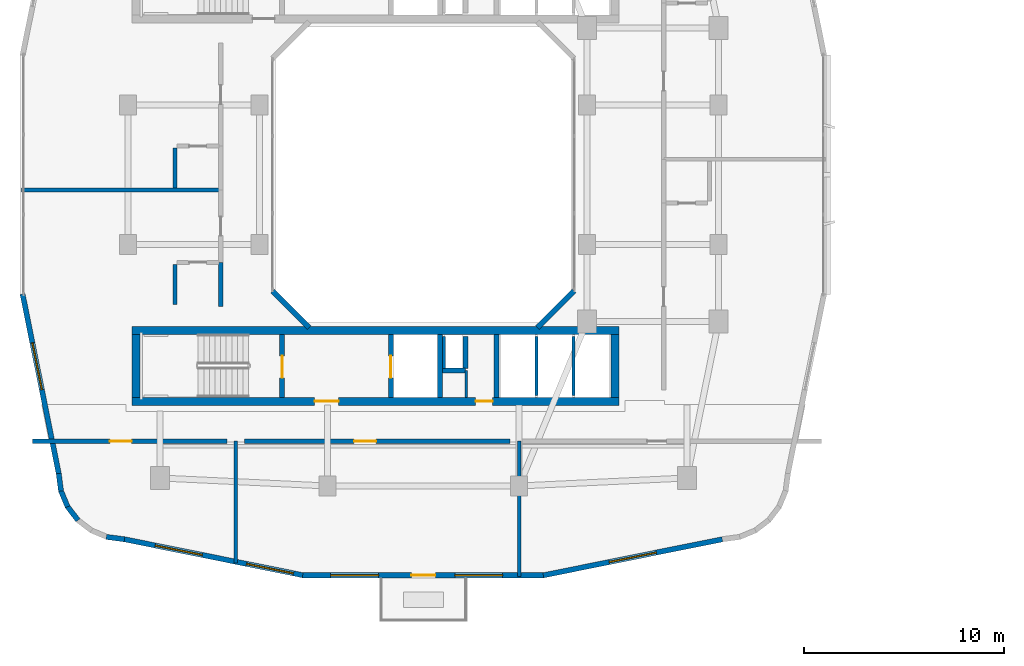
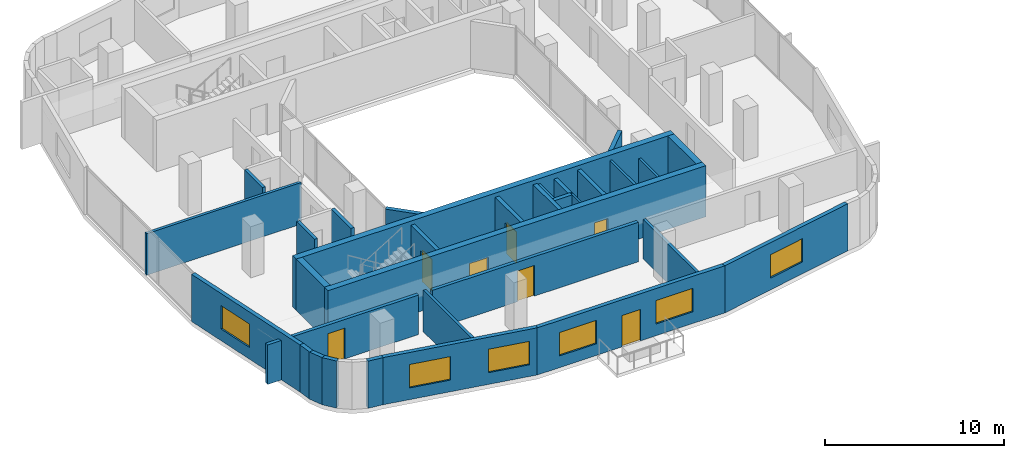
# One storey, part 8 of 22: 32 walls, 7 doors, 6 windows, 13 openings.
"""IFC4 building model written with IfcOpenShell, lengths in metres."""

from ifc_helpers import new_model, si_unit, derived_unit, direction, frame, frame_2d, origin, place, context, subcontext, project, spatial, rectangle, extrude, material, layer, layer_set, type_object, element, fill, save


model = new_model("IFC4")

# Units and contexts
model_context = context("Model", 3, precision=1e-05, world=origin(), true_north=direction((0.0, 1.0)))
body_context = subcontext(model_context, "Body", "Model", "MODEL_VIEW")
ifc_project = project(units=[si_unit("LENGTHUNIT", "METRE"), si_unit("AREAUNIT", "SQUARE_METRE"), si_unit("VOLUMEUNIT", "CUBIC_METRE"), si_unit("PLANEANGLEUNIT", "RADIAN"), si_unit("MASSUNIT", "GRAM", prefix="KILO"), derived_unit("THERMALTRANSMITTANCEUNIT", [(si_unit("POWERUNIT", "WATT"), 1), (si_unit("LENGTHUNIT", "METRE"), -2), (si_unit("THERMODYNAMICTEMPERATUREUNIT", "KELVIN"), -1)])], contexts=[model_context])

# Site, building, storey
site_placement = place(None, origin())
site = spatial("IfcSite", under=ifc_project, at=site_placement, CompositionType="ELEMENT")
building_placement = place(site_placement, origin())
building = spatial("IfcBuilding", under=site, at=building_placement, Name="Kivonza Crest Hotel", CompositionType="ELEMENT")
storey_placement = place(building_placement, frame((0.0, 0.0, 112.5)))
storey = spatial("IfcBuildingStorey", under=building, at=storey_placement, Name="L30", CompositionType="ELEMENT", Elevation=112.5)

# Walls
ifc_material_1 = material(Name="High-density acoustic masonry inter-tenancy wall", Category="masonry")
ifc_layer_1 = layer(ifc_material_1, 0.179931640625)
ifc_layer_set_1 = layer_set([ifc_layer_1], Name="High-density acoustic masonry inter-tenancy wall")
wall_type_1 = type_object("IfcWallType", Name="WL-ACOU-180", PredefinedType="SOLIDWALL", material=ifc_layer_set_1)
wall_1_placement = place(storey_placement, frame((11.60009765625, 5.533935546875, 0.0), z_axis=(0.0, 0.0, 1.0), x_axis=(0.0, 1.0, 0.0)))
element("IfcWall", 1, at=wall_1_placement, inside=storey, type_object=wall_type_1, Name="L30 interior partition WA-L30-T1S-DIV1", PredefinedType="SOLIDWALL", context=body_context, shape_type="SweptSolid", body=[
    extrude(rectangle(XDim=6.115966796875, YDim=0.179931640625, at=frame_2d((3.05810546875, 0.0))), origin(), (0.0, 0.0, 1.0), 2.8349609375),
])
wall_2_placement = place(storey_placement, frame((25.800048828125, 4.860107421875, 0.0), z_axis=(0.0, 0.0, 1.0), x_axis=(0.0, 1.0, 0.0)))
element("IfcWall", 2, at=wall_2_placement, inside=storey, type_object=wall_type_1, Name="L30 interior partition WA-L30-T1S-DIV2", PredefinedType="SOLIDWALL", context=body_context, shape_type="SweptSolid", body=[
    extrude(rectangle(XDim=6.789794921875, YDim=0.179931640625, at=frame_2d((3.39501953125, 0.0))), origin(), (0.0, 0.0, 1.0), 2.695068359375),
])
wall_3_placement = place(storey_placement, frame((0.860107421875, 24.22998046875, 0.0), z_axis=(0.0, 0.0, 1.0), x_axis=(1.0, 0.0, 0.0)))
element("IfcWall", 3, at=wall_3_placement, inside=storey, type_object=wall_type_1, Name="L30 interior partition WA-L30-T1W-DIV1", PredefinedType="SOLIDWALL", context=body_context, shape_type="SweptSolid", body=[
    extrude(rectangle(XDim=9.989990234375, YDim=0.179931640625, at=frame_2d((4.9951171875, 0.0))), origin(), (0.0, 0.0, 1.0), 2.8349609375),
])

# Wall, opening, door
ifc_material_2 = material(Name="Autoclaved aerated concrete blockwork", Category="masonry")
ifc_layer_2 = layer(ifc_material_2, 0.219970703125)
ifc_layer_set_2 = layer_set([ifc_layer_2], Name="Autoclaved aerated concrete blockwork")
wall_type_2 = type_object("IfcWallType", Name="WL-ACOU-220", PredefinedType="SOLIDWALL", material=ifc_layer_set_2)
wall_4_placement = place(storey_placement, frame((1.409912109375, 11.64990234375, 0.0), z_axis=(0.0, 0.0, 1.0), x_axis=(1.0, 0.0, 0.0)))
wall_4 = element("IfcWall", 4, at=wall_4_placement, inside=storey, type_object=wall_type_2, Name="L30 interior partition WA-L30-Z2-DIN0-N", PredefinedType="SOLIDWALL", context=body_context, shape_type="SweptSolid", body=[
    extrude(rectangle(XDim=9.739990234375, YDim=0.219970703125, at=frame_2d((4.8701171875, 0.0))), origin(), (0.0, 0.0, 1.0), 2.695068359375),
])
opening_1_placement = place(wall_4_placement, frame((3.8779296875, 0.0, 0.0)))
opening_1 = element("IfcOpeningElement", 5, at=opening_1_placement, cuts=wall_4, Name="Opening DF-60M", PredefinedType="OPENING", context=body_context, shape_type="SweptSolid", body=[
    extrude(rectangle(XDim=1.10009765625, YDim=2.10009765625, at=frame_2d((0.550048828125, 1.050048828125))), frame((0.0, 0.1201171875, 0.0), z_axis=(0.0, -1.0, 0.0), x_axis=(1.0, 0.0, 0.0)), (0.0, 0.0, 1.0), 0.239990234375),
])
ifc_material_3 = material(Name="Hardwood timber oak", Category="wood")
door_type_1 = type_object("IfcDoorType", Name="DR-FD60-1100", OperationType="NOTDEFINED", PredefinedType="DOOR", material=ifc_material_3)
door_1_placement = place(opening_1_placement, frame((1.10009765625, 0.0, 0.0), z_axis=(0.0, 0.0, 1.0), x_axis=(-1.0, 0.0, 0.0)))
door_1 = element("IfcDoor", 6, at=door_1_placement, inside=storey, type_object=door_type_1, Name="L30 Panoramic Tasting Salon door", OperationType="SINGLE_SWING_RIGHT", OverallHeight=2.10009765625, OverallWidth=1.10009765625, PredefinedType="DOOR", context=body_context, shape_type="SweptSolid", body=[
    extrude(rectangle(XDim=1.10009765625, YDim=2.10009765625, at=frame_2d((0.550048828125, 1.050048828125))), frame((0.0, 0.02490234375, 0.0), z_axis=(0.0, -1.0, 0.0), x_axis=(1.0, 0.0, 0.0)), (0.0, 0.0, 1.0), 0.050048828125),
])
fill(opening_1, door_1)

wall_5_placement = place(storey_placement, frame((12.050048828125, 11.64990234375, 0.0), z_axis=(0.0, 0.0, 1.0), x_axis=(1.0, 0.0, 0.0)))
wall_5 = element("IfcWall", 7, at=wall_5_placement, inside=storey, type_object=wall_type_2, Name="L30 interior partition WA-L30-Z2-DIN1-N", PredefinedType="SOLIDWALL", context=body_context, shape_type="SweptSolid", body=[
    extrude(rectangle(XDim=13.300048828125, YDim=0.219970703125, at=frame_2d((6.64990234375, 0.0))), origin(), (0.0, 0.0, 1.0), 2.695068359375),
])
opening_2_placement = place(wall_5_placement, frame((5.47998046875, 0.0, 0.0)))
opening_2 = element("IfcOpeningElement", 8, at=opening_2_placement, cuts=wall_5, Name="Opening DF-60M", PredefinedType="OPENING", context=body_context, shape_type="SweptSolid", body=[
    extrude(rectangle(XDim=1.10009765625, YDim=2.10009765625, at=frame_2d((0.550048828125, 1.050048828125))), frame((0.0, 0.1201171875, 0.0), z_axis=(0.0, -1.0, 0.0), x_axis=(1.0, 0.0, 0.0)), (0.0, 0.0, 1.0), 0.239990234375),
])
door_2_placement = place(opening_2_placement, frame((1.10009765625, 0.0, 0.0), z_axis=(0.0, 0.0, 1.0), x_axis=(-1.0, 0.0, 0.0)))
door_2 = element("IfcDoor", 9, at=door_2_placement, inside=storey, type_object=door_type_1, Name="L30 Sommelier Wine Kitchen door", OperationType="SINGLE_SWING_LEFT", OverallHeight=2.10009765625, OverallWidth=1.10009765625, PredefinedType="DOOR", context=body_context, shape_type="SweptSolid", body=[
    extrude(rectangle(XDim=1.10009765625, YDim=2.10009765625, at=frame_2d((0.550048828125, 1.050048828125))), frame((0.0, 0.02490234375, 0.0), z_axis=(0.0, -1.0, 0.0), x_axis=(1.0, 0.0, 0.0)), (0.0, 0.0, 1.0), 0.050048828125),
])
fill(opening_2, door_2)

# Wall
wall_6_placement = place(storey_placement, frame((10.85009765625, 18.39990234375, 0.0), z_axis=(0.0, 0.0, 1.0), x_axis=(0.0, 1.0, 0.0)))
element("IfcWall", 10, at=wall_6_placement, inside=storey, type_object=wall_type_2, Name="L30 interior partition WA-L30-W03-BCORR", PredefinedType="SOLIDWALL", context=body_context, shape_type="SweptSolid", body=[
    extrude(rectangle(XDim=2.2001953125, YDim=0.219970703125, at=frame_2d((1.10009765625, 0.0))), origin(), (0.0, 0.0, 1.0), 3.219970703125),
])

# Wall, openings, doors
ifc_material_4 = material(Name="Concrete C50/60", Category="concrete")
ifc_layer_3 = layer(ifc_material_4, 0.39990234375)
ifc_layer_set_3 = layer_set([ifc_layer_3], Name="Concrete C50/60")
wall_type_3 = type_object("IfcWallType", Name="WL-CORE-400", PredefinedType="SHEAR", material=ifc_layer_set_3)
wall_7_placement = place(storey_placement, frame((6.39990234375, 13.639892578125, 0.0), z_axis=(0.0, 0.0, 1.0), x_axis=(1.0, 0.0, 0.0)))
wall_7 = element("IfcWall", 11, at=wall_7_placement, inside=storey, type_object=wall_type_3, Name="Core wall T1-S South L30", PredefinedType="SHEAR", context=body_context, shape_type="SweptSolid", body=[
    extrude(rectangle(XDim=24.400146484375, YDim=0.39990234375, at=frame_2d((12.2001953125, 0.0))), origin(), (0.0, 0.0, 1.0), 3.5),
])
opening_3_placement = place(wall_7_placement, frame((9.14990234375, 0.0, 0.0)))
opening_3 = element("IfcOpeningElement", 12, at=opening_3_placement, cuts=wall_7, Name="Opening DF-60", PredefinedType="OPENING", context=body_context, shape_type="SweptSolid", body=[
    extrude(rectangle(XDim=1.199951171875, YDim=2.14990234375, at=frame_2d((0.60009765625, 1.074951171875))), frame((0.0, 0.2099609375, 0.0), z_axis=(0.0, -1.0, 0.0), x_axis=(1.0, 0.0, 0.0)), (0.0, 0.0, 1.0), 0.419921875),
])
opening_4_placement = place(wall_7_placement, frame((17.219970703125, 0.0, 0.0)))
opening_4 = element("IfcOpeningElement", 13, at=opening_4_placement, cuts=wall_7, Name="Opening DF-60R", PredefinedType="OPENING", context=body_context, shape_type="SweptSolid", body=[
    extrude(rectangle(XDim=0.85009765625, YDim=2.10009765625, at=frame_2d((0.425048828125, 1.050048828125))), frame((0.0, 0.2099609375, 0.0), z_axis=(0.0, -1.0, 0.0), x_axis=(1.0, 0.0, 0.0)), (0.0, 0.0, 1.0), 0.419921875),
])
door_type_2 = type_object("IfcDoorType", Name="DR-FD60-1200", OperationType="NOTDEFINED", PredefinedType="DOOR", material=ifc_material_3)
door_3_placement = place(opening_3_placement, frame((1.199951171875, 0.0, 0.0), z_axis=(0.0, 0.0, 1.0), x_axis=(-1.0, 0.0, 0.0)))
door_3 = element("IfcDoor", 14, at=door_3_placement, inside=storey, type_object=door_type_2, Name="L30 T1-S firefighting lobby fire door", OperationType="SINGLE_SWING_LEFT", OverallHeight=2.14990234375, OverallWidth=1.199951171875, PredefinedType="DOOR", context=body_context, shape_type="SweptSolid", body=[
    extrude(rectangle(XDim=1.199951171875, YDim=2.14990234375, at=frame_2d((0.60009765625, 1.074951171875))), frame((0.0, 0.02490234375, 0.0), z_axis=(0.0, -1.0, 0.0), x_axis=(1.0, 0.0, 0.0)), (0.0, 0.0, 1.0), 0.050048828125),
])
fill(opening_3, door_3)
door_type_3 = type_object("IfcDoorType", Name="DR-FD60-850", OperationType="NOTDEFINED", PredefinedType="DOOR", material=ifc_material_3)
door_4_placement = place(opening_4_placement, frame((0.85009765625, 0.0, 0.0), z_axis=(0.0, 0.0, 1.0), x_axis=(-1.0, 0.0, 0.0)))
door_4 = element("IfcDoor", 15, at=door_4_placement, inside=storey, type_object=door_type_3, Name="L30 T1-S core room door", OperationType="SINGLE_SWING_RIGHT", OverallHeight=2.10009765625, OverallWidth=0.85009765625, PredefinedType="DOOR", context=body_context, shape_type="SweptSolid", body=[
    extrude(rectangle(XDim=0.85009765625, YDim=2.10009765625, at=frame_2d((0.425048828125, 1.050048828125))), frame((0.0, 0.02490234375, 0.0), z_axis=(0.0, -1.0, 0.0), x_axis=(1.0, 0.0, 0.0)), (0.0, 0.0, 1.0), 0.050048828125),
])
fill(opening_4, door_4)

# Walls
wall_8_placement = place(storey_placement, frame((6.39990234375, 17.199951171875, 0.0), z_axis=(0.0, 0.0, 1.0), x_axis=(1.0, 0.0, 0.0)))
element("IfcWall", 16, at=wall_8_placement, inside=storey, type_object=wall_type_3, Name="Core wall T1-S North L30", PredefinedType="SHEAR", context=body_context, shape_type="SweptSolid", body=[
    extrude(rectangle(XDim=24.400146484375, YDim=0.39990234375, at=frame_2d((12.2001953125, 0.0))), origin(), (0.0, 0.0, 1.0), 3.5),
])
for number, where, z_axis, x_axis, name in (
    (17, (6.60009765625, 13.840087890625, 0.0), (0.0, 0.0, 1.0), (0.0, 1.0, 0.0), "Core wall T1-S West L30"),
    (18, (30.60009765625, 13.840087890625, 0.0), (0.0, 0.0, 1.0), (0.0, 1.0, 0.0), "Core wall T1-S East L30"),
):
    element("IfcWall", number, at=place(storey_placement, frame(where, z_axis=z_axis, x_axis=x_axis)), inside=storey, type_object=wall_type_3, Name=name, PredefinedType="SHEAR", context=body_context, shape_type="SweptSolid", body=[
        extrude(rectangle(XDim=3.159912109375, YDim=0.39990234375, at=frame_2d((1.580078125, 0.0))), origin(), (0.0, 0.0, 1.0), 3.5),
    ])
ifc_material_5 = material(Name="Precast concrete C40/50", Category="concrete")
ifc_layer_4 = layer(ifc_material_5, 0.260009765625)
ifc_layer_set_4 = layer_set([ifc_layer_4], Name="Precast concrete C40/50")
wall_type_4 = type_object("IfcWallType", Name="WL-EXT-260", PredefinedType="STANDARD", material=ifc_layer_set_4)
wall_9_placement = place(storey_placement, frame((2.72802734375, 10.02490234375, 0.0), z_axis=(0.0, 0.0, 1.0), x_axis=(0.130953706898, -0.991388484223, 0.0)))
element("IfcWall", 19, at=wall_9_placement, inside=storey, type_object=wall_type_4, Name="L30 T1 exterior insulated wall 1", PredefinedType="STANDARD", context=body_context, shape_type="SweptSolid", body=[
    extrude(rectangle(XDim=0.885498046875, YDim=0.260009765625, at=frame_2d((0.44287109375, 0.0))), origin(), (0.0, 0.0, 1.0), 3.219970703125),
])
wall_10_placement = place(storey_placement, frame((2.825927734375, 9.193115234375, 0.0), z_axis=(0.0, 0.0, 1.0), x_axis=(0.383290660547, -0.923627776508, 0.0)))
element("IfcWall", 20, at=wall_10_placement, inside=storey, type_object=wall_type_4, Name="L30 T1 exterior insulated wall 2", PredefinedType="STANDARD", context=body_context, shape_type="SweptSolid", body=[
    extrude(rectangle(XDim=0.9033203125, YDim=0.260009765625, at=frame_2d((0.45166015625, 0.0))), origin(), (0.0, 0.0, 1.0), 3.219970703125),
])
wall_11_placement = place(storey_placement, frame((3.14404296875, 8.39892578125, 0.0), z_axis=(0.0, 0.0, 1.0), x_axis=(0.608624690463, -0.793458244748, 0.0)))
element("IfcWall", 21, at=wall_11_placement, inside=storey, type_object=wall_type_4, Name="L30 T1 exterior insulated wall 3", PredefinedType="STANDARD", context=body_context, shape_type="SweptSolid", body=[
    extrude(rectangle(XDim=0.902099609375, YDim=0.260009765625, at=frame_2d((0.451171875, 0.0))), origin(), (0.0, 0.0, 1.0), 3.219970703125),
])
wall_12_placement = place(storey_placement, frame((5.112060546875, 6.847900390625, 0.0), z_axis=(0.0, 0.0, 1.0), x_axis=(0.991487658083, -0.130200706103, 0.0)))
element("IfcWall", 22, at=wall_12_placement, inside=storey, type_object=wall_type_4, Name="L30 T1 exterior insulated wall 6", PredefinedType="STANDARD", context=body_context, shape_type="SweptSolid", body=[
    extrude(rectangle(XDim=0.920654296875, YDim=0.260009765625, at=frame_2d((0.46044921875, 0.0))), origin(), (0.0, 0.0, 1.0), 3.219970703125),
])

# Wall, openings, windows
wall_13_placement = place(storey_placement, frame((6.01806640625, 6.72900390625, 0.0), z_axis=(0.0, 0.0, 1.0), x_axis=(0.980317172899, -0.197429077186, 0.0)))
wall_13 = element("IfcWall", 23, at=wall_13_placement, inside=storey, type_object=wall_type_4, Name="L30 T1 exterior insulated wall 7", PredefinedType="STANDARD", context=body_context, shape_type="SweptSolid", body=[
    extrude(rectangle(XDim=9.117431640625, YDim=0.260009765625, at=frame_2d((4.55859375, 0.0))), origin(), (0.0, 0.0, 1.0), 3.219970703125),
])
opening_5_placement = place(wall_13_placement, frame((1.5849609375, 0.0, 0.800048828125)))
opening_5 = element("IfcOpeningElement", 24, at=opening_5_placement, cuts=wall_13, Name="Opening WN-05", PredefinedType="OPENING", context=body_context, shape_type="SweptSolid", body=[
    extrude(rectangle(XDim=2.39990234375, YDim=1.60009765625, at=frame_2d((1.199951171875, 0.800048828125))), frame((0.0, 0.14013671875, 0.0), z_axis=(0.0, -1.0, 0.0), x_axis=(1.0, 0.0, 0.0)), (0.0, 0.0, 1.0), 0.280029296875),
])
opening_6_placement = place(wall_13_placement, frame((6.242919921875, 0.0, 0.800048828125)))
opening_6 = element("IfcOpeningElement", 25, at=opening_6_placement, cuts=wall_13, Name="Opening WN-05", PredefinedType="OPENING", context=body_context, shape_type="SweptSolid", body=[
    extrude(rectangle(XDim=2.39990234375, YDim=1.60009765625, at=frame_2d((1.199951171875, 0.800048828125))), frame((0.0, 0.14013671875, 0.0), z_axis=(0.0, -1.0, 0.0), x_axis=(1.0, 0.0, 0.0)), (0.0, 0.0, 1.0), 0.280029296875),
])
ifc_material_6 = material(Name="Thermally broken bronze aluminium and low-E double glazing", Category="aluminium")
window_type = type_object("IfcWindowType", Name="WN-240x160", PartitioningType="TRIPLE_PANEL_VERTICAL", PredefinedType="WINDOW", material=ifc_material_6)
window_1_placement = place(opening_5_placement, origin())
window_1 = element("IfcWindow", 26, at=window_1_placement, inside=storey, type_object=window_type, Name="L30 T1 facade window 7 bay 1", OverallHeight=1.60009765625, OverallWidth=2.39990234375, PartitioningType="SINGLE_PANEL", PredefinedType="WINDOW", context=body_context, shape_type="SweptSolid", body=[
    extrude(rectangle(XDim=2.39990234375, YDim=1.60009765625, at=frame_2d((1.199951171875, 0.800048828125))), frame((0.0, 0.030029296875, 0.0), z_axis=(0.0, -1.0, 0.0), x_axis=(1.0, 0.0, 0.0)), (0.0, 0.0, 1.0), 0.06005859375),
])
fill(opening_5, window_1)
window_2_placement = place(opening_6_placement, origin())
window_2 = element("IfcWindow", 27, at=window_2_placement, inside=storey, type_object=window_type, Name="L30 T1 facade window 7 bay 2", OverallHeight=1.60009765625, OverallWidth=2.39990234375, PartitioningType="SINGLE_PANEL", PredefinedType="WINDOW", context=body_context, shape_type="SweptSolid", body=[
    extrude(rectangle(XDim=2.39990234375, YDim=1.60009765625, at=frame_2d((1.199951171875, 0.800048828125))), frame((0.0, 0.030029296875, 0.0), z_axis=(0.0, -1.0, 0.0), x_axis=(1.0, 0.0, 0.0)), (0.0, 0.0, 1.0), 0.06005859375),
])
fill(opening_6, window_2)

# Wall, openings, door, windows
wall_14_placement = place(storey_placement, frame((14.9150390625, 4.929931640625, 0.0), z_axis=(0.0, 0.0, 1.0), x_axis=(1.0, 0.0, 0.0)))
wall_14 = element("IfcWall", 28, at=wall_14_placement, inside=storey, type_object=wall_type_4, Name="L30 T1 exterior insulated wall 8", PredefinedType="STANDARD", context=body_context, shape_type="SweptSolid", body=[
    extrude(rectangle(XDim=12.135009765625, YDim=0.260009765625, at=frame_2d((6.0673828125, 0.0))), origin(), (0.0, 0.0, 1.0), 3.219970703125),
])
opening_7_placement = place(wall_14_placement, frame((5.485107421875, 0.0, 0.0)))
opening_7 = element("IfcOpeningElement", 29, at=opening_7_placement, cuts=wall_14, Name="Opening DT-120", PredefinedType="OPENING", context=body_context, shape_type="SweptSolid", body=[
    extrude(rectangle(XDim=1.199951171875, YDim=2.14990234375, at=frame_2d((0.60009765625, 1.074951171875))), frame((0.0, 0.14013671875, 0.0), z_axis=(0.0, -1.0, 0.0), x_axis=(1.0, 0.0, 0.0)), (0.0, 0.0, 1.0), 0.280029296875),
])
opening_8_placement = place(wall_14_placement, frame((1.43798828125, 0.0, 0.800048828125)))
opening_8 = element("IfcOpeningElement", 30, at=opening_8_placement, cuts=wall_14, Name="Opening WN-05", PredefinedType="OPENING", context=body_context, shape_type="SweptSolid", body=[
    extrude(rectangle(XDim=2.39990234375, YDim=1.60009765625, at=frame_2d((1.199951171875, 0.800048828125))), frame((0.0, 0.14013671875, 0.0), z_axis=(0.0, -1.0, 0.0), x_axis=(1.0, 0.0, 0.0)), (0.0, 0.0, 1.0), 0.280029296875),
])
opening_9_placement = place(wall_14_placement, frame((7.659912109375, 0.0, 0.800048828125)))
opening_9 = element("IfcOpeningElement", 31, at=opening_9_placement, cuts=wall_14, Name="Opening WN-05", PredefinedType="OPENING", context=body_context, shape_type="SweptSolid", body=[
    extrude(rectangle(XDim=2.39990234375, YDim=1.60009765625, at=frame_2d((1.199951171875, 0.800048828125))), frame((0.0, 0.14013671875, 0.0), z_axis=(0.0, -1.0, 0.0), x_axis=(1.0, 0.0, 0.0)), (0.0, 0.0, 1.0), 0.280029296875),
])
ifc_material_7 = material(Name="Anodised bronze aluminium and laminated safety glass", Category="aluminium")
door_type_4 = type_object("IfcDoorType", Name="DR-TERR-1200", OperationType="NOTDEFINED", PredefinedType="DOOR", material=ifc_material_7)
door_5_placement = place(opening_7_placement, frame((1.199951171875, 0.0, 0.0), z_axis=(0.0, 0.0, 1.0), x_axis=(-1.0, 0.0, 0.0)))
door_5 = element("IfcDoor", 32, at=door_5_placement, inside=storey, type_object=door_type_4, Name="T1 L30 SW sky-garden bridge access door", OperationType="SINGLE_SWING_LEFT", OverallHeight=2.14990234375, OverallWidth=1.199951171875, PredefinedType="DOOR", context=body_context, shape_type="SweptSolid", body=[
    extrude(rectangle(XDim=1.199951171875, YDim=2.14990234375, at=frame_2d((0.60009765625, 1.074951171875))), frame((0.0, 0.02490234375, 0.0), z_axis=(0.0, -1.0, 0.0), x_axis=(1.0, 0.0, 0.0)), (0.0, 0.0, 1.0), 0.050048828125),
])
fill(opening_7, door_5)
window_3_placement = place(opening_8_placement, origin())
window_3 = element("IfcWindow", 33, at=window_3_placement, inside=storey, type_object=window_type, Name="L30 T1 facade window 8 bay 1", OverallHeight=1.60009765625, OverallWidth=2.39990234375, PartitioningType="SINGLE_PANEL", PredefinedType="WINDOW", context=body_context, shape_type="SweptSolid", body=[
    extrude(rectangle(XDim=2.39990234375, YDim=1.60009765625, at=frame_2d((1.199951171875, 0.800048828125))), frame((0.0, 0.030029296875, 0.0), z_axis=(0.0, -1.0, 0.0), x_axis=(1.0, 0.0, 0.0)), (0.0, 0.0, 1.0), 0.06005859375),
])
fill(opening_8, window_3)
window_4_placement = place(opening_9_placement, origin())
window_4 = element("IfcWindow", 34, at=window_4_placement, inside=storey, type_object=window_type, Name="L30 T1 facade window 8 bay 2", OverallHeight=1.60009765625, OverallWidth=2.39990234375, PartitioningType="SINGLE_PANEL", PredefinedType="WINDOW", context=body_context, shape_type="SweptSolid", body=[
    extrude(rectangle(XDim=2.39990234375, YDim=1.60009765625, at=frame_2d((1.199951171875, 0.800048828125))), frame((0.0, 0.030029296875, 0.0), z_axis=(0.0, -1.0, 0.0), x_axis=(1.0, 0.0, 0.0)), (0.0, 0.0, 1.0), 0.06005859375),
])
fill(opening_9, window_4)

# Wall, opening, window
wall_15_placement = place(storey_placement, frame((27.009033203125, 4.922119140625, 0.0), z_axis=(0.0, 0.0, 1.0), x_axis=(0.980321298532, 0.197408590603, 0.0)))
wall_15 = element("IfcWall", 35, at=wall_15_placement, inside=storey, type_object=wall_type_4, Name="L30 T1 exterior insulated wall 9", PredefinedType="STANDARD", context=body_context, shape_type="SweptSolid", body=[
    extrude(rectangle(XDim=9.153076171875, YDim=0.260009765625, at=frame_2d((4.57666015625, 0.0))), origin(), (0.0, 0.0, 1.0), 3.219970703125),
])
opening_10_placement = place(wall_15_placement, frame((3.376953125, 0.0, 0.800048828125)))
opening_10 = element("IfcOpeningElement", 36, at=opening_10_placement, cuts=wall_15, Name="Opening WN-05", PredefinedType="OPENING", context=body_context, shape_type="SweptSolid", body=[
    extrude(rectangle(XDim=2.39990234375, YDim=1.60009765625, at=frame_2d((1.199951171875, 0.800048828125))), frame((0.0, 0.14013671875, 0.0), z_axis=(0.0, -1.0, 0.0), x_axis=(1.0, 0.0, 0.0)), (0.0, 0.0, 1.0), 0.280029296875),
])
window_5_placement = place(opening_10_placement, origin())
window_5 = element("IfcWindow", 37, at=window_5_placement, inside=storey, type_object=window_type, Name="L30 T1 facade window 9", OverallHeight=1.60009765625, OverallWidth=2.39990234375, PartitioningType="SINGLE_PANEL", PredefinedType="WINDOW", context=body_context, shape_type="SweptSolid", body=[
    extrude(rectangle(XDim=2.39990234375, YDim=1.60009765625, at=frame_2d((1.199951171875, 0.800048828125))), frame((0.0, 0.030029296875, 0.0), z_axis=(0.0, -1.0, 0.0), x_axis=(1.0, 0.0, 0.0)), (0.0, 0.0, 1.0), 0.06005859375),
])
fill(opening_10, window_5)

wall_16_placement = place(storey_placement, frame((0.916015625, 19.02001953125, 0.0), z_axis=(0.0, 0.0, 1.0), x_axis=(0.197435082048, -0.980315963543, 0.0)))
wall_16 = element("IfcWall", 38, at=wall_16_placement, inside=storey, type_object=wall_type_4, Name="L30 T1 exterior insulated wall 36", PredefinedType="STANDARD", context=body_context, shape_type="SweptSolid", body=[
    extrude(rectangle(XDim=9.1826171875, YDim=0.260009765625, at=frame_2d((4.59130859375, 0.0))), origin(), (0.0, 0.0, 1.0), 3.219970703125),
])
opening_11_placement = place(wall_16_placement, frame((2.4970703125, 0.0, 0.800048828125)))
opening_11 = element("IfcOpeningElement", 39, at=opening_11_placement, cuts=wall_16, Name="Opening WN-05", PredefinedType="OPENING", context=body_context, shape_type="SweptSolid", body=[
    extrude(rectangle(XDim=2.39990234375, YDim=1.60009765625, at=frame_2d((1.199951171875, 0.800048828125))), frame((0.0, 0.14013671875, 0.0), z_axis=(0.0, -1.0, 0.0), x_axis=(1.0, 0.0, 0.0)), (0.0, 0.0, 1.0), 0.280029296875),
])
window_6_placement = place(opening_11_placement, origin())
window_6 = element("IfcWindow", 40, at=window_6_placement, inside=storey, type_object=window_type, Name="L30 T1 facade window 36", OverallHeight=1.60009765625, OverallWidth=2.39990234375, PartitioningType="SINGLE_PANEL", PredefinedType="WINDOW", context=body_context, shape_type="SweptSolid", body=[
    extrude(rectangle(XDim=2.39990234375, YDim=1.60009765625, at=frame_2d((1.199951171875, 0.800048828125))), frame((0.0, 0.030029296875, 0.0), z_axis=(0.0, -1.0, 0.0), x_axis=(1.0, 0.0, 0.0)), (0.0, 0.0, 1.0), 0.06005859375),
])
fill(opening_11, window_6)

# Walls
for number, where, z_axis, x_axis, name in (
    (41, (26.721923828125, 17.337890625, 0.0), (0.0, 0.0, 1.0), (0.707059717605, 0.707153841636, 0.0), "L30 T1 light-well exterior wall 2"),
    (42, (13.444091796875, 19.172119140625, 0.0), (0.0, 0.0, 1.0), (0.707059717605, -0.707153841636, 0.0), "L30 T1 light-well exterior wall 8"),
):
    element("IfcWall", number, at=place(storey_placement, frame(where, z_axis=z_axis, x_axis=x_axis)), inside=storey, type_object=wall_type_4, Name=name, PredefinedType="STANDARD", context=body_context, shape_type="SweptSolid", body=[
        extrude(rectangle(XDim=2.59375, YDim=0.260009765625, at=frame_2d((1.296875, 0.0))), origin(), (0.0, 0.0, 1.0), 3.219970703125),
    ])
ifc_material_8 = material(Name="Concrete blockwork fire-compartment wall", Category="masonry")
ifc_layer_5 = layer(ifc_material_8, 0.25)
ifc_layer_set_5 = layer_set([ifc_layer_5], Name="Concrete blockwork fire-compartment wall")
wall_type_5 = type_object("IfcWallType", Name="WL-FIRE-250", PredefinedType="SOLIDWALL", material=ifc_layer_set_5)
wall_17_placement = place(storey_placement, frame((23.10009765625, 15.280029296875, 0.0), z_axis=(0.0, 0.0, 1.0), x_axis=(0.0, 1.0, 0.0)))
element("IfcWall", 43, at=wall_17_placement, inside=storey, type_object=wall_type_5, Name="L30 interior partition WA-L30-T1-S-MEPR-E", PredefinedType="SOLIDWALL", context=body_context, shape_type="SweptSolid", body=[
    extrude(rectangle(XDim=1.619873046875, YDim=0.25, at=frame_2d((0.81005859375, 0.0))), origin(), (0.0, 0.0, 1.0), 3.219970703125),
])
wall_18_placement = place(storey_placement, frame((21.949951171875, 15.179931640625, 0.0), z_axis=(0.0, 0.0, 1.0), x_axis=(1.0, 0.0, 0.0)))
element("IfcWall", 44, at=wall_18_placement, inside=storey, type_object=wall_type_5, Name="L30 interior partition WA-L30-T1-S-MEPR-H", PredefinedType="SOLIDWALL", context=body_context, shape_type="SweptSolid", body=[
    extrude(rectangle(XDim=1.150146484375, YDim=0.25, at=frame_2d((0.5751953125, 0.0))), origin(), (0.0, 0.0, 1.0), 3.219970703125),
])
ifc_material_9 = material(Name="Metal-stud gypsum board partition", Category="gypsum")
ifc_layer_6 = layer(ifc_material_9, 0.125)
ifc_layer_set_6 = layer_set([ifc_layer_6], Name="Metal-stud gypsum board partition")
wall_type_6 = type_object("IfcWallType", Name="WL-PART-125", PredefinedType="PARTITIONING", material=ifc_layer_set_6)
wall_19_placement = place(storey_placement, frame((23.159912109375, 13.840087890625, 0.0), z_axis=(0.0, 0.0, 1.0), x_axis=(0.0, 1.0, 0.0)))
element("IfcWall", 45, at=wall_19_placement, inside=storey, type_object=wall_type_6, Name="L30 interior partition WP-L30-T1-S-SV1V", PredefinedType="PARTITIONING", context=body_context, shape_type="SweptSolid", body=[
    extrude(rectangle(XDim=1.33984375, YDim=0.125, at=frame_2d((0.669921875, 0.0))), origin(), (0.0, 0.0, 1.0), 3.219970703125),
])
ifc_material_10 = material(Name="Twin-stud acoustic gypsum board partition", Category="gypsum")
ifc_layer_7 = layer(ifc_material_10, 0.14990234375)
ifc_layer_set_7 = layer_set([ifc_layer_7], Name="Twin-stud acoustic gypsum board partition")
wall_type_7 = type_object("IfcWallType", Name="WL-PART-150", PredefinedType="PARTITIONING", material=ifc_layer_set_7)
wall_20_placement = place(storey_placement, frame((22.030029296875, 15.280029296875, 0.0), z_axis=(0.0, 0.0, 1.0), x_axis=(0.0, 1.0, 0.0)))
element("IfcWall", 46, at=wall_20_placement, inside=storey, type_object=wall_type_7, Name="L30 interior partition WA-L30-T1-S-MEPR-W", PredefinedType="PARTITIONING", context=body_context, shape_type="SweptSolid", body=[
    extrude(rectangle(XDim=1.619873046875, YDim=0.14990234375, at=frame_2d((0.81005859375, 0.0))), origin(), (0.0, 0.0, 1.0), 3.219970703125),
])
wall_21_placement = place(storey_placement, frame((26.6669921875, 13.93994140625, 0.0), z_axis=(0.0, 0.0, 1.0), x_axis=(0.0, 1.0, 0.0)))
element("IfcWall", 47, at=wall_21_placement, inside=storey, type_object=wall_type_7, Name="L30 interior partition WP-L30-T1-S-BSH-1", PredefinedType="PARTITIONING", context=body_context, shape_type="SweptSolid", body=[
    extrude(rectangle(XDim=2.9599609375, YDim=0.14990234375, at=frame_2d((1.47998046875, 0.0))), origin(), (0.0, 0.0, 1.0), 3.219970703125),
])
wall_22_placement = place(storey_placement, frame((28.532958984375, 13.93994140625, 0.0), z_axis=(0.0, 0.0, 1.0), x_axis=(0.0, 1.0, 0.0)))
element("IfcWall", 48, at=wall_22_placement, inside=storey, type_object=wall_type_7, Name="L30 interior partition WP-L30-T1-S-BSH-2", PredefinedType="PARTITIONING", context=body_context, shape_type="SweptSolid", body=[
    extrude(rectangle(XDim=2.9599609375, YDim=0.14990234375, at=frame_2d((1.47998046875, 0.0))), origin(), (0.0, 0.0, 1.0), 2.695068359375),
])
ifc_material_11 = material(Name="Moisture-resistant plumbing chase partition wall", Category="gypsum")
ifc_layer_8 = layer(ifc_material_11, 0.199951171875)
ifc_layer_set_8 = layer_set([ifc_layer_8], Name="Moisture-resistant plumbing chase partition wall")
wall_type_8 = type_object("IfcWallType", Name="WL-PLUMB-200", PredefinedType="PLUMBINGWALL", material=ifc_layer_set_8)
for number, where, z_axis, x_axis, name in (
    (49, (8.550048828125, 18.5, 0.0), (0.0, 0.0, 1.0), (0.0, 1.0, 0.0), "L30 interior partition WW-L30-W03-BV"),
    (50, (8.550048828125, 24.330078125, 0.0), (0.0, 0.0, 1.0), (0.0, 1.0, 0.0), "L30 interior partition WW-L30-W04-BV"),
):
    element("IfcWall", number, at=place(storey_placement, frame(where, z_axis=z_axis, x_axis=x_axis)), inside=storey, type_object=wall_type_8, Name=name, PredefinedType="PLUMBINGWALL", context=body_context, shape_type="SweptSolid", body=[
        extrude(rectangle(XDim=2.0, YDim=0.199951171875, at=frame_2d((1.0, 0.0))), origin(), (0.0, 0.0, 1.0), 3.219970703125),
    ])

# Wall, opening, door
ifc_layer_9 = layer(ifc_material_4, 0.25)
ifc_layer_set_9 = layer_set([ifc_layer_9], Name="Concrete C50/60")
wall_type_9 = type_object("IfcWallType", Name="WL-SHAFT-250", PredefinedType="STANDARD", material=ifc_layer_set_9)
wall_23_placement = place(storey_placement, frame((13.925048828125, 13.840087890625, 0.0), z_axis=(0.0, 0.0, 1.0), x_axis=(0.0, 1.0, 0.0)))
wall_23 = element("IfcWall", 51, at=wall_23_placement, inside=storey, type_object=wall_type_9, Name="Core shaft wall T1-S STAIR L30", PredefinedType="STANDARD", context=body_context, shape_type="SweptSolid", body=[
    extrude(rectangle(XDim=3.159912109375, YDim=0.25, at=frame_2d((1.580078125, 0.0))), origin(), (0.0, 0.0, 1.0), 3.219970703125),
])
opening_12_placement = place(wall_23_placement, frame((0.97998046875, 0.0, 0.0)))
opening_12 = element("IfcOpeningElement", 52, at=opening_12_placement, cuts=wall_23, Name="Opening DF-120", PredefinedType="OPENING", context=body_context, shape_type="SweptSolid", body=[
    extrude(rectangle(XDim=1.10009765625, YDim=2.14990234375, at=frame_2d((0.550048828125, 1.074951171875))), frame((0.0, 0.135009765625, 0.0), z_axis=(0.0, -1.0, 0.0), x_axis=(1.0, 0.0, 0.0)), (0.0, 0.0, 1.0), 0.27001953125),
])
ifc_material_12 = material(Name="Galvanised steel", Category="steel")
door_type_5 = type_object("IfcDoorType", Name="DR-FD120-1100", OperationType="NOTDEFINED", PredefinedType="DOOR", material=ifc_material_12)
door_6_placement = place(opening_12_placement, frame((1.10009765625, 0.0, 0.0), z_axis=(0.0, 0.0, 1.0), x_axis=(-1.0, 0.0, 0.0)))
door_6 = element("IfcDoor", 53, at=door_6_placement, inside=storey, type_object=door_type_5, Name="L30 T1-S stair fire door", OperationType="SINGLE_SWING_RIGHT", OverallHeight=2.14990234375, OverallWidth=1.10009765625, PredefinedType="DOOR", context=body_context, shape_type="SweptSolid", body=[
    extrude(rectangle(XDim=1.10009765625, YDim=2.14990234375, at=frame_2d((0.550048828125, 1.074951171875))), frame((0.0, 0.02490234375, 0.0), z_axis=(0.0, -1.0, 0.0), x_axis=(1.0, 0.0, 0.0)), (0.0, 0.0, 1.0), 0.050048828125),
])
fill(opening_12, door_6)

wall_24_placement = place(storey_placement, frame((19.375, 13.840087890625, 0.0), z_axis=(0.0, 0.0, 1.0), x_axis=(0.0, 1.0, 0.0)))
wall_24 = element("IfcWall", 54, at=wall_24_placement, inside=storey, type_object=wall_type_9, Name="Core shaft wall T1-S FFL-W L30", PredefinedType="STANDARD", context=body_context, shape_type="SweptSolid", body=[
    extrude(rectangle(XDim=3.159912109375, YDim=0.25, at=frame_2d((1.580078125, 0.0))), origin(), (0.0, 0.0, 1.0), 3.219970703125),
])
opening_13_placement = place(wall_24_placement, frame((0.97998046875, 0.0, 0.0)))
opening_13 = element("IfcOpeningElement", 55, at=opening_13_placement, cuts=wall_24, Name="Opening LD-120", PredefinedType="OPENING", context=body_context, shape_type="SweptSolid", body=[
    extrude(rectangle(XDim=1.10009765625, YDim=2.14990234375, at=frame_2d((0.550048828125, 1.074951171875))), frame((0.0, 0.135009765625, 0.0), z_axis=(0.0, -1.0, 0.0), x_axis=(1.0, 0.0, 0.0)), (0.0, 0.0, 1.0), 0.27001953125),
])
ifc_material_13 = material(Name="Stainless steel", Category="steel")
door_type_6 = type_object("IfcDoorType", Name="DR-LD120-1100", OperationType="NOTDEFINED", PredefinedType="DOOR", material=ifc_material_13)
door_7_placement = place(opening_13_placement, origin())
door_7 = element("IfcDoor", 56, at=door_7_placement, inside=storey, type_object=door_type_6, Name="L30 FFL-T1-S firefighting lift sliding landing door", OperationType="DOUBLE_DOOR_SLIDING", OverallHeight=2.14990234375, OverallWidth=1.10009765625, PredefinedType="DOOR", context=body_context, shape_type="SweptSolid", body=[
    extrude(rectangle(XDim=1.10009765625, YDim=2.14990234375, at=frame_2d((0.550048828125, 1.074951171875))), frame((0.0, 0.02490234375, 0.0), z_axis=(0.0, -1.0, 0.0), x_axis=(1.0, 0.0, 0.0)), (0.0, 0.0, 1.0), 0.050048828125),
])
fill(opening_13, door_7)

# Walls
for number, where, z_axis, x_axis, name in (
    (57, (21.824951171875, 13.840087890625, 0.0), (0.0, 0.0, 1.0), (0.0, 1.0, 0.0), "Core shaft wall T1-S FFL-E L30"),
    (58, (24.675048828125, 13.840087890625, 0.0), (0.0, 0.0, 1.0), (0.0, 1.0, 0.0), "Core shaft wall T1-S BANK-W L30"),
):
    element("IfcWall", number, at=place(storey_placement, frame(where, z_axis=z_axis, x_axis=x_axis)), inside=storey, type_object=wall_type_9, Name=name, PredefinedType="STANDARD", context=body_context, shape_type="SweptSolid", body=[
        extrude(rectangle(XDim=3.159912109375, YDim=0.25, at=frame_2d((1.580078125, 0.0))), origin(), (0.0, 0.0, 1.0), 3.219970703125),
    ])

save(model, "model.ifc")
